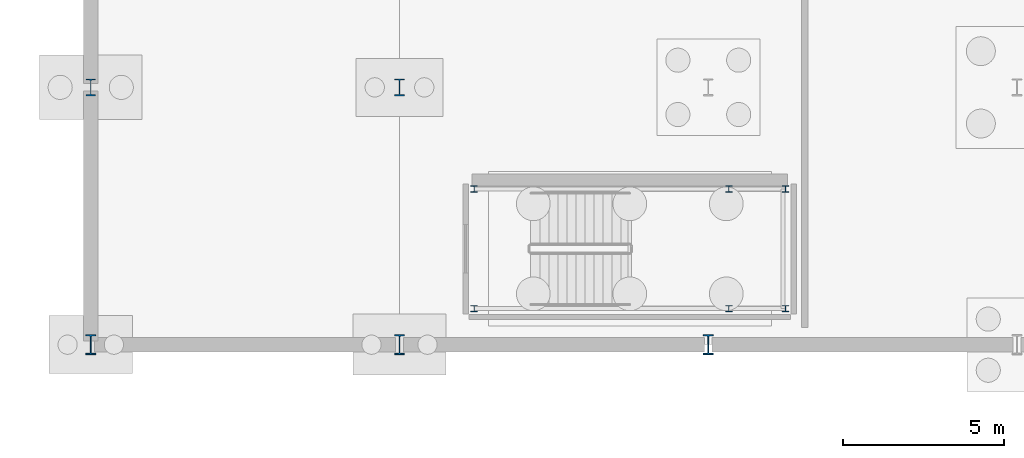
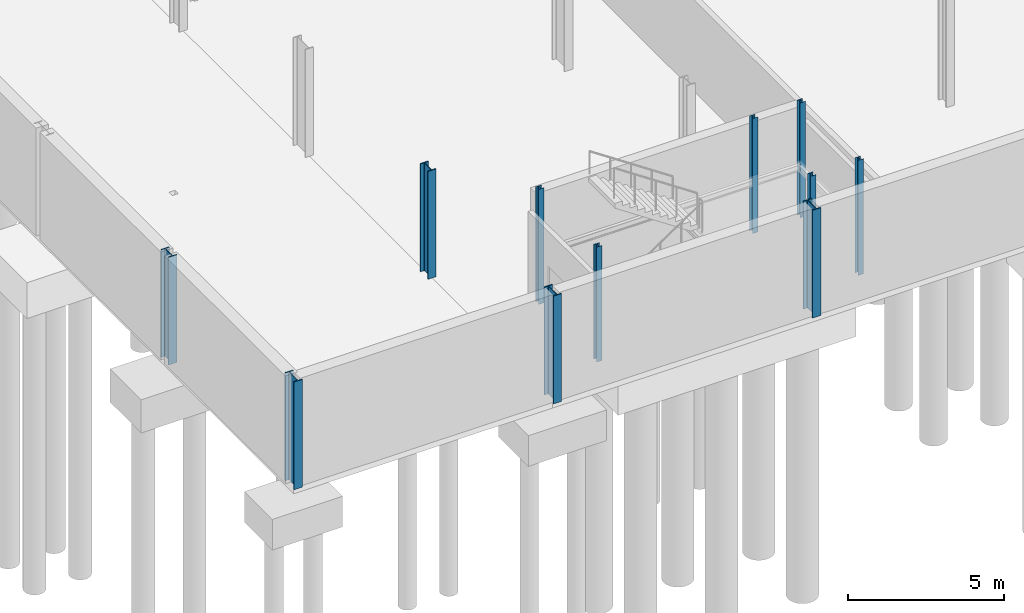
# One storey, part 9 of 47: 11 columns.
"""IFC4 building model written with IfcOpenShell, lengths in metres."""

from ifc_helpers import new_model, si_unit, direction, frame, origin, origin_2d, place, context, subcontext, project, spatial, i_section, extrude, material, material_profile, profile_set, type_object, element, save


model = new_model("IFC4")

# Units and contexts
model_context = context("Model", 3, precision=1e-05, world=origin(), true_north=direction((0.0, 1.0)))
body_context = subcontext(model_context, "Body", "Model", "MODEL_VIEW")
ifc_project = project(units=[si_unit("LENGTHUNIT", "METRE"), si_unit("AREAUNIT", "SQUARE_METRE"), si_unit("VOLUMEUNIT", "CUBIC_METRE"), si_unit("PLANEANGLEUNIT", "RADIAN"), si_unit("MASSUNIT", "GRAM", prefix="KILO")], contexts=[model_context])

# Site, building, storey
site_placement = place(None, origin())
site = spatial("IfcSite", under=ifc_project, at=site_placement, CompositionType="ELEMENT")
building_placement = place(site_placement, origin())
building = spatial("IfcBuilding", under=site, at=building_placement, Name="Alderhovde Museum", CompositionType="ELEMENT")
storey_placement = place(building_placement, frame((0.0, 0.0, -4.5)))
storey = spatial("IfcBuildingStorey", under=building, at=storey_placement, Name="B1", CompositionType="ELEMENT", Elevation=-4.5)

# Columns
ifc_material_1 = material(Name="Steel S355J2", Category="steel")
ifc_material_profile_1 = material_profile(ifc_material_1, i_section(OverallWidth=0.199951171875, OverallDepth=0.18994140625, WebThickness=0.006591796875, FlangeThickness=0.010009765625, FilletRadius=0.01806640625, at=origin_2d()), Name="HEA 200")
ifc_profile_set_1 = profile_set([ifc_material_profile_1], Name="Steel S355J2")
column_type_1 = type_object("IfcColumnType", Name="COL-HEA200", PredefinedType="COLUMN", material=ifc_profile_set_1)
for number, where, z_axis, x_axis, name in (
    (1, (21.52001953125, 49.1201171875, 0.0), (0.0, 0.0, 1.0), (1.0, 0.0, 0.0), "B1 Stair ST1 Shaft Column 1"),
    (2, (31.199951171875, 49.1201171875, 0.0), (0.0, 0.0, 1.0), (1.0, 0.0, 0.0), "B1 Stair ST1 Shaft Column 2"),
    (3, (31.199951171875, 52.840087890625, 0.0), (0.0, 0.0, 1.0), (1.0, 0.0, 0.0), "B1 Stair ST1 Shaft Column 3"),
    (4, (21.52001953125, 52.840087890625, 0.0), (0.0, 0.0, 1.0), (1.0, 0.0, 0.0), "B1 Stair ST1 Shaft Column 4"),
    (5, (29.43994140625, 49.1201171875, 0.0), (0.0, 0.0, 1.0), (1.0, 0.0, 0.0), "B1 Stair ST1 Shaft Column 5"),
    (6, (29.43994140625, 52.840087890625, 0.0), (0.0, 0.0, 1.0), (1.0, 0.0, 0.0), "B1 Stair ST1 Shaft Column 6"),
):
    element("IfcColumn", number, at=place(storey_placement, frame(where, z_axis=z_axis, x_axis=x_axis)), inside=storey, type_object=column_type_1, Name=name, PredefinedType="COLUMN", context=body_context, shape_type="SweptSolid", body=[
        extrude(i_section(OverallWidth=0.199951171875, OverallDepth=0.18994140625, WebThickness=0.006591796875, FlangeThickness=0.010009765625, FilletRadius=0.01806640625, at=origin_2d()), origin(), (0.0, 0.0, 1.0), 4.5),
    ])
ifc_material_2 = material(Name="Steel S355J2", Category="steel")
ifc_material_profile_2 = material_profile(ifc_material_2, i_section(OverallWidth=0.305908203125, OverallDepth=0.52392578125, WebThickness=0.02099609375, FlangeThickness=0.0400390625, FilletRadius=0.027099609375, at=origin_2d()), Name="HEM 500")
ifc_profile_set_2 = profile_set([ifc_material_profile_2], Name="Steel S355J2")
column_type_2 = type_object("IfcColumnType", Name="COL-HEM500", PredefinedType="COLUMN", material=ifc_profile_set_2)
for number, where, z_axis, x_axis, name in (
    (7, (9.60009765625, 56.0, 0.0), (0.0, 0.0, 1.0), (1.0, 0.0, 0.0), "B1 Column (9.6, 56.0)"),
    (8, (19.199951171875, 56.0, 0.0), (0.0, 0.0, 1.0), (1.0, 0.0, 0.0), "B1 Column (19.2, 56.0)"),
):
    element("IfcColumn", number, at=place(storey_placement, frame(where, z_axis=z_axis, x_axis=x_axis)), inside=storey, type_object=column_type_2, Name=name, PredefinedType="COLUMN", context=body_context, shape_type="SweptSolid", body=[
        extrude(i_section(OverallWidth=0.305908203125, OverallDepth=0.52392578125, WebThickness=0.02099609375, FlangeThickness=0.0400390625, FilletRadius=0.027099609375, at=origin_2d()), origin(), (0.0, 0.0, 1.0), 4.219970703125),
    ])
ifc_material_3 = material(Name="Steel S355J2", Category="steel")
ifc_material_profile_3 = material_profile(ifc_material_3, i_section(OverallWidth=0.304931640625, OverallDepth=0.6201171875, WebThickness=0.02099609375, FlangeThickness=0.0400390625, FilletRadius=0.027099609375, at=origin_2d()), Name="HEM 600")
ifc_profile_set_3 = profile_set([ifc_material_profile_3], Name="Steel S355J2")
column_type_3 = type_object("IfcColumnType", Name="COL-HEM600", PredefinedType="COLUMN", material=ifc_profile_set_3)
for number, where, z_axis, x_axis, name in (
    (9, (9.60009765625, 48.0, 0.0), (0.0, 0.0, 1.0), (1.0, 0.0, 0.0), "B1 Column (9.6, 48.0)"),
    (10, (19.199951171875, 48.0, 0.0), (0.0, 0.0, 1.0), (1.0, 0.0, 0.0), "B1 Column (19.2, 48.0)"),
    (11, (28.800048828125, 48.0, 0.0), (0.0, 0.0, 1.0), (1.0, 0.0, 0.0), "B1 Column (28.8, 48.0)"),
):
    element("IfcColumn", number, at=place(storey_placement, frame(where, z_axis=z_axis, x_axis=x_axis)), inside=storey, type_object=column_type_3, Name=name, PredefinedType="COLUMN", context=body_context, shape_type="SweptSolid", body=[
        extrude(i_section(OverallWidth=0.304931640625, OverallDepth=0.6201171875, WebThickness=0.02099609375, FlangeThickness=0.0400390625, FilletRadius=0.027099609375, at=origin_2d()), origin(), (0.0, 0.0, 1.0), 4.219970703125),
    ])

save(model, "model.ifc")
